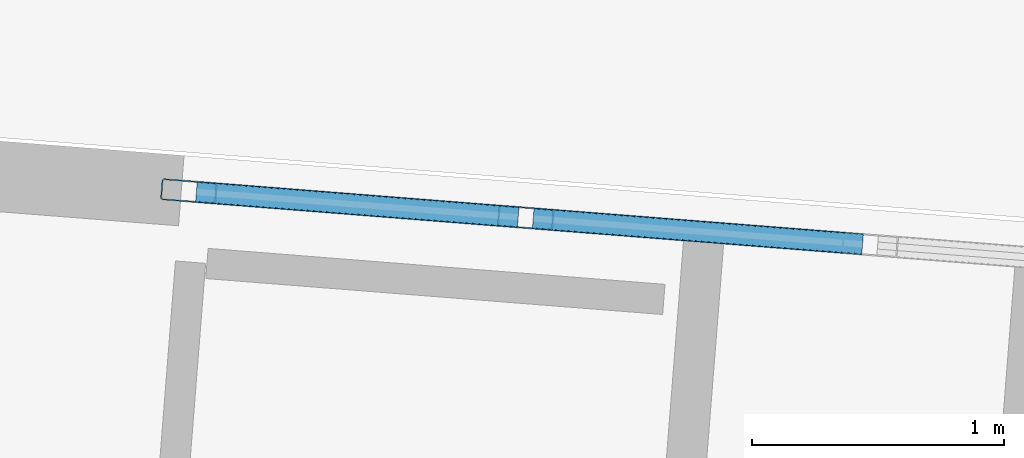
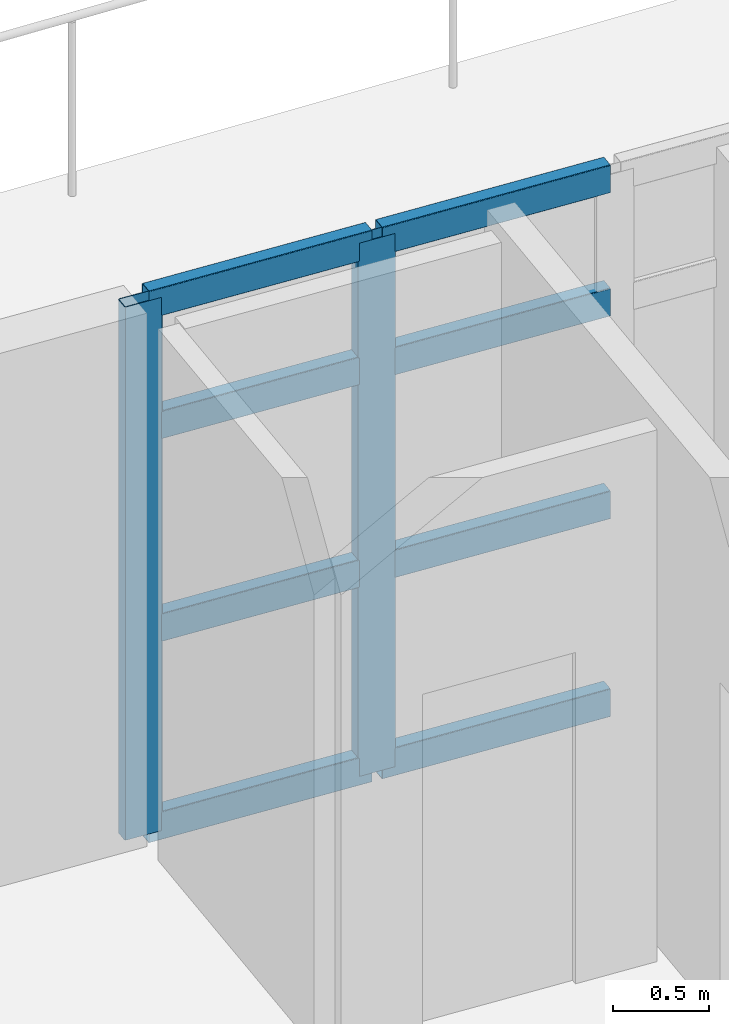
# One storey, part 9 of 23: 10 members, 1 element without a shape of its own.
"""IFC4 building model written with IfcOpenShell, lengths in metres."""

from ifc_helpers import new_model, si_unit, direction, frame, origin, origin_2d, place, context, subcontext, project, spatial, hollow_rectangle, extrude, material, layer, layer_set, material_profile, profile_set, type_object, element, aggregate, save


model = new_model("IFC4")

# Units and contexts
model_context = context("Model", 3, precision=1e-05, world=origin(), true_north=direction((0.0, 1.0)))
body_context = subcontext(model_context, "Body", "Model", "MODEL_VIEW")
ifc_project = project(units=[si_unit("LENGTHUNIT", "METRE"), si_unit("AREAUNIT", "SQUARE_METRE"), si_unit("VOLUMEUNIT", "CUBIC_METRE"), si_unit("PLANEANGLEUNIT", "RADIAN"), si_unit("MASSUNIT", "GRAM", prefix="KILO")], contexts=[model_context])

# Site, building, storey
site_placement = place(None, origin())
site = spatial("IfcSite", under=ifc_project, at=site_placement, CompositionType="ELEMENT")
building_placement = place(site_placement, origin())
building = spatial("IfcBuilding", under=site, at=building_placement, Name="Qingluan Cross Belvedere", CompositionType="ELEMENT")
storey_placement = place(building_placement, frame((0.0, 0.0, 245.39990234375)))
storey = spatial("IfcBuildingStorey", under=building, at=storey_placement, Name="L61", CompositionType="ELEMENT", Elevation=245.39990234375)

# Curtain wall, members
ifc_material_1 = material(Name="Thermally broken aluminium and Low-E glass", Category="aluminium")
ifc_layer = layer(ifc_material_1, 0.219970703125, Name="UnitisedCW_SkyLobbyHigh")
ifc_layer_set = layer_set([ifc_layer], Name="Thermally broken aluminium and Low-E glass")
curtain_wall_type = type_object("IfcCurtainWallType", Name="UnitisedCW_SkyLobbyHigh", PredefinedType="USERDEFINED", material=ifc_layer_set)
curtain_wall_placement = place(storey_placement, origin())
curtain_wall = element("IfcCurtainWall", 1, at=curtain_wall_placement, inside=storey, type_object=curtain_wall_type, Name="UnitisedCW_SkyLobbyHigh run env:cw:L61:N", ObjectType="UNITISED CURTAIN WALL", PredefinedType="USERDEFINED")
ifc_material_2 = material(Name="Aluminium alloy 6063-T6", Category="aluminium")
ifc_material_profile_1 = material_profile(ifc_material_2, hollow_rectangle(XDim=0.0849609375, YDim=0.219970703125, WallThickness=0.0048828125, InnerFilletRadius=0.0048828125, OuterFilletRadius=0.010009765625, at=origin_2d()), Name="CWM220x85x5")
ifc_profile_set_1 = profile_set([ifc_material_profile_1], Name="Aluminium alloy 6063-T6")
member_type_1 = type_object("IfcMemberType", Name="CWMullion_220", PredefinedType="MULLION", material=ifc_profile_set_1)
member_1_placement = place(storey_placement, frame((0.96875, 29.7958984375, 0.0), z_axis=(0.0, 0.0, 1.0), x_axis=(-0.078461828752, -0.996917118636, 0.0)))
member_1 = element("IfcMember", 2, at=member_1_placement, type_object=member_type_1, Name="CW-S2 mullion 4", PredefinedType="MULLION", context=body_context, shape_type="SweptSolid", body=[
    extrude(hollow_rectangle(XDim=0.0849609375, YDim=0.219970703125, WallThickness=0.0048828125, InnerFilletRadius=0.0048828125, OuterFilletRadius=0.010009765625, at=origin_2d()), origin(), (0.0, 0.0, 1.0), 3.380126953125),
])
member_2_placement = place(storey_placement, frame((-0.369140625, 29.901123046875, 0.0), z_axis=(0.0, 0.0, 1.0), x_axis=(-0.078461828752, -0.996917118636, 0.0)))
member_2 = element("IfcMember", 3, at=member_2_placement, type_object=member_type_1, Name="CW-S2 mullion 5", PredefinedType="MULLION", context=body_context, shape_type="SweptSolid", body=[
    extrude(hollow_rectangle(XDim=0.0849609375, YDim=0.219970703125, WallThickness=0.0048828125, InnerFilletRadius=0.0048828125, OuterFilletRadius=0.010009765625, at=origin_2d()), origin(), (0.0, 0.0, 1.0), 3.380126953125),
])
ifc_material_3 = material(Name="Aluminium alloy 6063-T6", Category="aluminium")
ifc_material_profile_2 = material_profile(ifc_material_3, hollow_rectangle(XDim=0.0849609375, YDim=0.179931640625, WallThickness=0.00390625, InnerFilletRadius=0.00390625, OuterFilletRadius=0.008056640625, at=origin_2d()), Name="CWT180x85x4")
ifc_profile_set_2 = profile_set([ifc_material_profile_2], Name="Aluminium alloy 6063-T6")
member_type_2 = type_object("IfcMemberType", Name="CWTransom_180", PredefinedType="USERDEFINED", material=ifc_profile_set_2)
member_3_placement = place(storey_placement, frame((2.306640625, 29.690673828125, 0.030029296875), z_axis=(-0.9969261345, 0.078347191082, 0.0), x_axis=(-0.078347191082, -0.9969261345, 0.0)))
member_3 = element("IfcMember", 4, at=member_3_placement, type_object=member_type_2, Name="CW-S2 transom 3.1", ObjectType="TRANSOM", PredefinedType="USERDEFINED", context=body_context, shape_type="SweptSolid", body=[
    extrude(hollow_rectangle(XDim=0.0849609375, YDim=0.179931640625, WallThickness=0.00390625, InnerFilletRadius=0.00390625, OuterFilletRadius=0.008056640625, at=origin_2d()), origin(), (0.0, 0.0, 1.0), 1.31201171875),
])
member_4_placement = place(storey_placement, frame((2.306640625, 29.690673828125, 1.2841796875), z_axis=(-0.9969261345, 0.078347191082, 0.0), x_axis=(-0.078347191082, -0.9969261345, 0.0)))
member_4 = element("IfcMember", 5, at=member_4_placement, type_object=member_type_2, Name="CW-S2 transom 3.2", ObjectType="TRANSOM", PredefinedType="USERDEFINED", context=body_context, shape_type="SweptSolid", body=[
    extrude(hollow_rectangle(XDim=0.0849609375, YDim=0.179931640625, WallThickness=0.00390625, InnerFilletRadius=0.00390625, OuterFilletRadius=0.008056640625, at=origin_2d()), origin(), (0.0, 0.0, 1.0), 1.31201171875),
])
member_5_placement = place(storey_placement, frame((2.306640625, 29.690673828125, 2.569091796875), z_axis=(-0.9969261345, 0.078347191082, 0.0), x_axis=(-0.078347191082, -0.9969261345, 0.0)))
member_5 = element("IfcMember", 6, at=member_5_placement, type_object=member_type_2, Name="CW-S2 transom 3.3", ObjectType="TRANSOM", PredefinedType="USERDEFINED", context=body_context, shape_type="SweptSolid", body=[
    extrude(hollow_rectangle(XDim=0.0849609375, YDim=0.179931640625, WallThickness=0.00390625, InnerFilletRadius=0.00390625, OuterFilletRadius=0.008056640625, at=origin_2d()), origin(), (0.0, 0.0, 1.0), 1.31201171875),
])
member_6_placement = place(storey_placement, frame((2.306640625, 29.690673828125, 3.35009765625), z_axis=(-0.9969261345, 0.078347191082, 0.0), x_axis=(-0.078347191082, -0.9969261345, 0.0)))
member_6 = element("IfcMember", 7, at=member_6_placement, type_object=member_type_2, Name="CW-S2 transom 3.4", ObjectType="TRANSOM", PredefinedType="USERDEFINED", context=body_context, shape_type="SweptSolid", body=[
    extrude(hollow_rectangle(XDim=0.0849609375, YDim=0.179931640625, WallThickness=0.00390625, InnerFilletRadius=0.00390625, OuterFilletRadius=0.008056640625, at=origin_2d()), origin(), (0.0, 0.0, 1.0), 1.31201171875),
])
member_7_placement = place(storey_placement, frame((0.93896484375, 29.798095703125, 0.030029296875), z_axis=(-0.996917384901, 0.078458445574, 0.0), x_axis=(-0.078458445574, -0.996917384901, 0.0)))
member_7 = element("IfcMember", 8, at=member_7_placement, type_object=member_type_2, Name="CW-S2 transom 4.1", ObjectType="TRANSOM", PredefinedType="USERDEFINED", context=body_context, shape_type="SweptSolid", body=[
    extrude(hollow_rectangle(XDim=0.0849609375, YDim=0.179931640625, WallThickness=0.00390625, InnerFilletRadius=0.00390625, OuterFilletRadius=0.008056640625, at=origin_2d()), origin(), (0.0, 0.0, 1.0), 1.281982421875),
])
member_8_placement = place(storey_placement, frame((0.93896484375, 29.798095703125, 1.2841796875), z_axis=(-0.996917384901, 0.078458445574, 0.0), x_axis=(-0.078458445574, -0.996917384901, 0.0)))
member_8 = element("IfcMember", 9, at=member_8_placement, type_object=member_type_2, Name="CW-S2 transom 4.2", ObjectType="TRANSOM", PredefinedType="USERDEFINED", context=body_context, shape_type="SweptSolid", body=[
    extrude(hollow_rectangle(XDim=0.0849609375, YDim=0.179931640625, WallThickness=0.00390625, InnerFilletRadius=0.00390625, OuterFilletRadius=0.008056640625, at=origin_2d()), origin(), (0.0, 0.0, 1.0), 1.281982421875),
])
member_9_placement = place(storey_placement, frame((0.93896484375, 29.798095703125, 2.569091796875), z_axis=(-0.996917384901, 0.078458445574, 0.0), x_axis=(-0.078458445574, -0.996917384901, 0.0)))
member_9 = element("IfcMember", 10, at=member_9_placement, type_object=member_type_2, Name="CW-S2 transom 4.3", ObjectType="TRANSOM", PredefinedType="USERDEFINED", context=body_context, shape_type="SweptSolid", body=[
    extrude(hollow_rectangle(XDim=0.0849609375, YDim=0.179931640625, WallThickness=0.00390625, InnerFilletRadius=0.00390625, OuterFilletRadius=0.008056640625, at=origin_2d()), origin(), (0.0, 0.0, 1.0), 1.281982421875),
])
member_10_placement = place(storey_placement, frame((0.93896484375, 29.798095703125, 3.35009765625), z_axis=(-0.996917384901, 0.078458445574, 0.0), x_axis=(-0.078458445574, -0.996917384901, 0.0)))
member_10 = element("IfcMember", 11, at=member_10_placement, type_object=member_type_2, Name="CW-S2 transom 4.4", ObjectType="TRANSOM", PredefinedType="USERDEFINED", context=body_context, shape_type="SweptSolid", body=[
    extrude(hollow_rectangle(XDim=0.0849609375, YDim=0.179931640625, WallThickness=0.00390625, InnerFilletRadius=0.00390625, OuterFilletRadius=0.008056640625, at=origin_2d()), origin(), (0.0, 0.0, 1.0), 1.281982421875),
])
aggregate(curtain_wall, [member_1, member_2, member_3, member_4, member_5, member_6, member_7, member_8, member_9, member_10])

save(model, "model.ifc")
